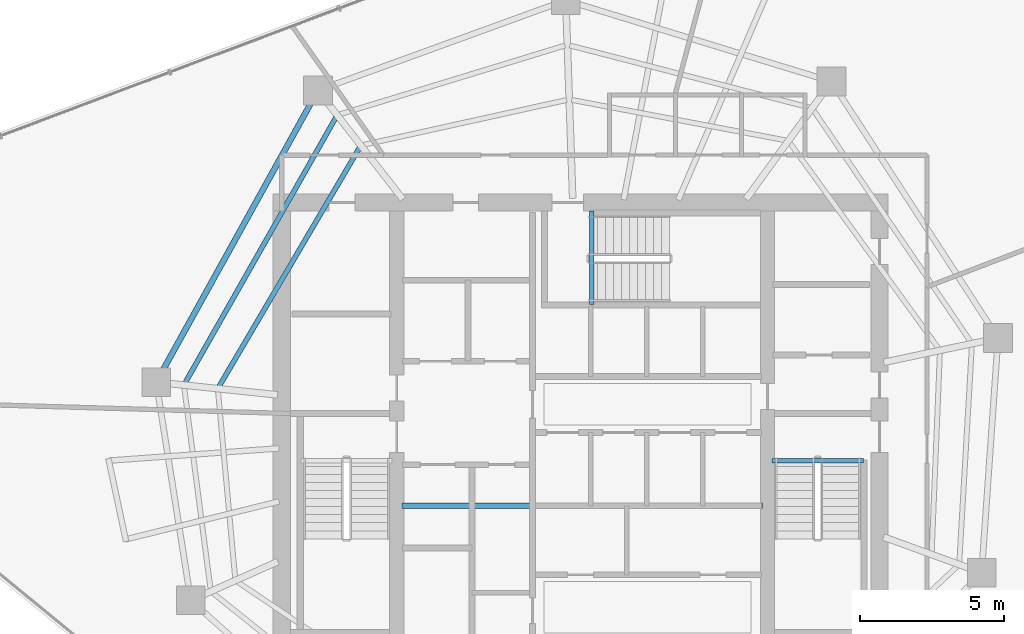
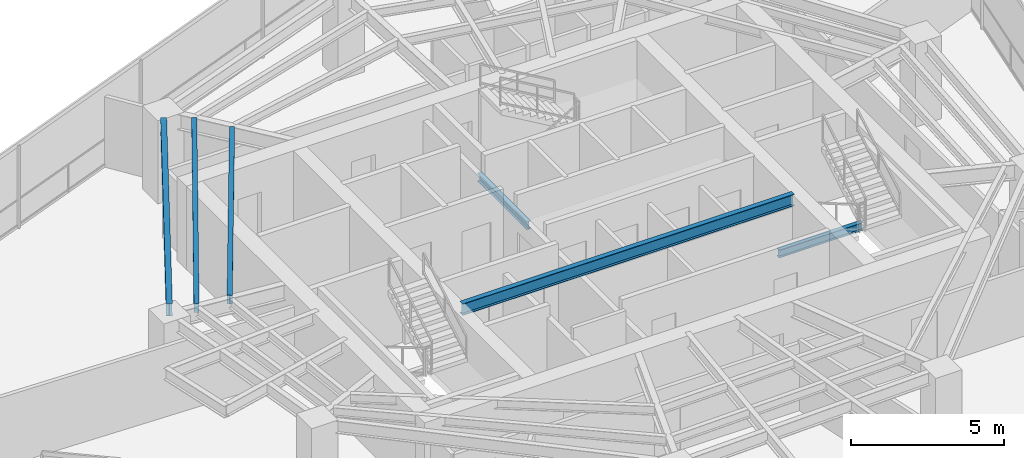
# One storey, part 6 of 19: 6 beams.
"""IFC4 building model written with IfcOpenShell, lengths in metres."""

from ifc_helpers import new_model, si_unit, direction, frame, origin, origin_2d, place, context, subcontext, project, spatial, i_section, extrude, material, material_profile, profile_set, type_object, element, save


model = new_model("IFC4")

# Units and contexts
model_context = context("Model", 3, precision=1e-05, world=origin(), true_north=direction((0.0, 1.0)))
body_context = subcontext(model_context, "Body", "Model", "MODEL_VIEW")
ifc_project = project(units=[si_unit("LENGTHUNIT", "METRE"), si_unit("AREAUNIT", "SQUARE_METRE"), si_unit("VOLUMEUNIT", "CUBIC_METRE"), si_unit("PLANEANGLEUNIT", "RADIAN"), si_unit("MASSUNIT", "GRAM", prefix="KILO")], contexts=[model_context])

# Site, building, storey
site_placement = place(None, origin())
site = spatial("IfcSite", under=ifc_project, at=site_placement, CompositionType="ELEMENT")
building_placement = place(site_placement, origin())
building = spatial("IfcBuilding", under=site, at=building_placement, Name="Qarnah Convention Tower", CompositionType="ELEMENT")
storey_placement = place(building_placement, frame((0.0, 0.0, 143.699951171875)))
storey = spatial("IfcBuildingStorey", under=building, at=storey_placement, Name="L38", CompositionType="ELEMENT", Elevation=143.699951171875)

# Beams
ifc_material = material(Name="Structural steel S355JR", Category="steel")
ifc_material_profile_1 = material_profile(ifc_material, i_section(OverallWidth=0.19189453125, OverallDepth=0.464111328125, WebThickness=0.010986328125, FlangeThickness=0.01806640625, at=origin_2d()), Name="W460X89")
ifc_profile_set_1 = profile_set([ifc_material_profile_1], Name="Structural steel S355JR")
beam_type_1 = type_object("IfcBeamType", Name="BM-CANT-W460A", PredefinedType="BEAM", material=ifc_profile_set_1)
beam_1_placement = place(storey_placement, frame((30.97998046875, 23.64990234375, 3.088134765625), z_axis=(1.0, 0.0, 0.0), x_axis=(0.0, 1.0, 0.0)))
element("IfcBeam", 1, at=beam_1_placement, inside=storey, type_object=beam_type_1, Name="L38 beam BM-L38-KC1", PredefinedType="BEAM", context=body_context, shape_type="SweptSolid", body=[
    extrude(i_section(OverallWidth=0.19189453125, OverallDepth=0.464111328125, WebThickness=0.010986328125, FlangeThickness=0.01806640625, at=origin_2d()), origin(), (0.0, 0.0, 1.0), 12.5400390625),
])
ifc_material_profile_2 = material_profile(ifc_material, i_section(OverallWidth=0.166015625, OverallDepth=0.31201171875, WebThickness=0.007080078125, FlangeThickness=0.010986328125, at=origin_2d()), Name="W310X45")
ifc_profile_set_2 = profile_set([ifc_material_profile_2], Name="Structural steel S355JR")
beam_type_2 = type_object("IfcBeamType", Name="BM-JST-W310", PredefinedType="JOIST", material=ifc_profile_set_2)
beam_2_placement = place(storey_placement, frame((43.860107421875, 25.217041015625, -0.156005859375), z_axis=(1.0, 0.0, 0.0), x_axis=(0.0, 1.0, 0.0)))
element("IfcBeam", 2, at=beam_2_placement, inside=storey, type_object=beam_type_2, Name="L38 stair landing trimmer beam BM-L38-ST2-TRM", PredefinedType="BEAM", context=body_context, shape_type="SweptSolid", body=[
    extrude(i_section(OverallWidth=0.166015625, OverallDepth=0.31201171875, WebThickness=0.007080078125, FlangeThickness=0.010986328125, at=origin_2d()), origin(), (0.0, 0.0, 1.0), 3.179931640625),
])
beam_3_placement = place(storey_placement, frame((37.5830078125, 30.659912109375, -0.156005859375), z_axis=(0.0, 1.0, 0.0), x_axis=(-1.0, 0.0, 0.0)))
element("IfcBeam", 3, at=beam_3_placement, inside=storey, type_object=beam_type_2, Name="L38 stair landing trimmer beam BM-L38-ST3-TRM", PredefinedType="BEAM", context=body_context, shape_type="SweptSolid", body=[
    extrude(i_section(OverallWidth=0.166015625, OverallDepth=0.31201171875, WebThickness=0.007080078125, FlangeThickness=0.010986328125, at=origin_2d()), origin(), (0.0, 0.0, 1.0), 3.239990234375),
])
ifc_material_profile_3 = material_profile(ifc_material, i_section(OverallWidth=0.172119140625, OverallDepth=0.35595703125, WebThickness=0.007080078125, FlangeThickness=0.011962890625, at=origin_2d()), Name="W360X51")
ifc_profile_set_3 = profile_set([ifc_material_profile_3], Name="Structural steel S355JR")
beam_type_3 = type_object("IfcBeamType", Name="BM-JST-W360", PredefinedType="JOIST", material=ifc_profile_set_3)
beam_4_placement = place(storey_placement, frame((28.68408203125, 37.166015625, 3.14208984375), z_axis=(-0.49398927148, -0.869467998067, 0.0), x_axis=(0.869467998067, -0.49398927148, 0.0)))
element("IfcBeam", 4, at=beam_4_placement, inside=storey, type_object=beam_type_3, Name="L38 joist BM-L38-SJST-04", PredefinedType="JOIST", context=body_context, shape_type="SweptSolid", body=[
    extrude(i_section(OverallWidth=0.172119140625, OverallDepth=0.35595703125, WebThickness=0.007080078125, FlangeThickness=0.011962890625, at=origin_2d()), origin(), (0.0, 0.0, 1.0), 10.623779296875),
])
beam_5_placement = place(storey_placement, frame((29.5048828125, 36.112060546875, 3.14208984375), z_axis=(-0.507052229611, -0.861915330207, 0.0), x_axis=(0.861915330207, -0.507052229611, 0.0)))
element("IfcBeam", 5, at=beam_5_placement, inside=storey, type_object=beam_type_3, Name="L38 joist BM-L38-IJST-04", PredefinedType="JOIST", context=body_context, shape_type="SweptSolid", body=[
    extrude(i_section(OverallWidth=0.172119140625, OverallDepth=0.35595703125, WebThickness=0.007080078125, FlangeThickness=0.011962890625, at=origin_2d()), origin(), (0.0, 0.0, 1.0), 9.637939453125),
])
ifc_material_profile_4 = material_profile(ifc_material, i_section(OverallWidth=0.199951171875, OverallDepth=0.5, WebThickness=0.010009765625, FlangeThickness=0.01611328125, at=origin_2d()), Name="IPE500")
ifc_profile_set_4 = profile_set([ifc_material_profile_4], Name="Structural steel S355JR")
beam_type_4 = type_object("IfcBeamType", Name="BM-SPN-IPE500", PredefinedType="SPANDREL", material=ifc_profile_set_4)
beam_6_placement = place(storey_placement, frame((27.819091796875, 37.673095703125, 3.070068359375), z_axis=(-0.48477441757, -0.874639219375, 0.0), x_axis=(0.874639219375, -0.48477441757, 0.0)))
element("IfcBeam", 6, at=beam_6_placement, inside=storey, type_object=beam_type_4, Name="L38 spandrel BM-L38-SPN-04", PredefinedType="SPANDREL", context=body_context, shape_type="SweptSolid", body=[
    extrude(i_section(OverallWidth=0.199951171875, OverallDepth=0.5, WebThickness=0.010009765625, FlangeThickness=0.01611328125, at=origin_2d()), origin(), (0.0, 0.0, 1.0), 10.623779296875),
])

save(model, "model.ifc")
